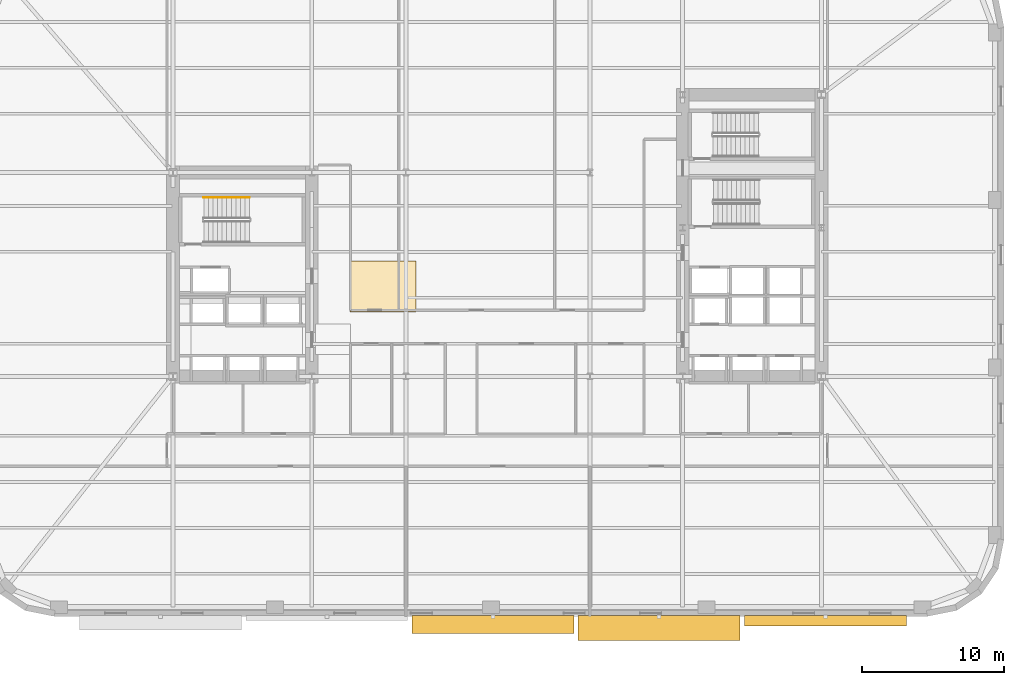
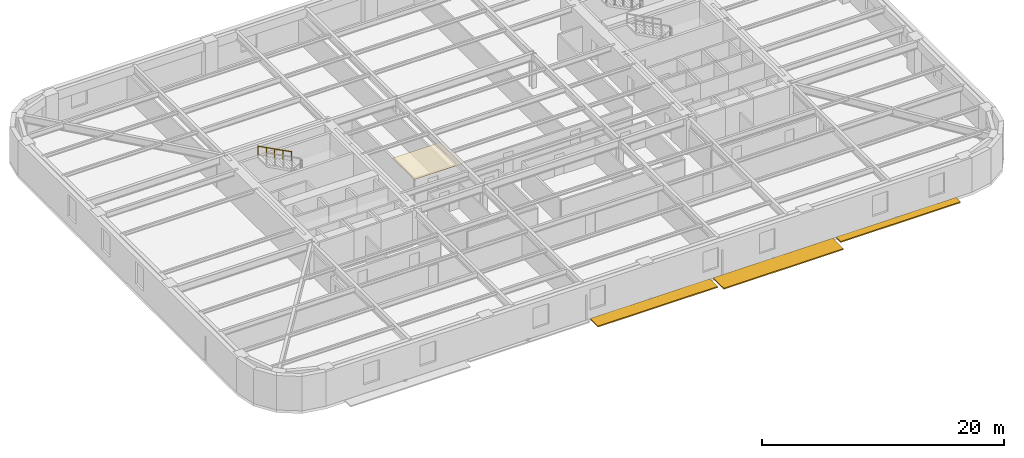
# One storey, part 10 of 14: 3 shading devices, 1 covering, 1 railing.
"""IFC4 building model written with IfcOpenShell, lengths in metres."""

import ifcopenshell
import ifcopenshell.guid

model = None  # the IFC model being written
_history = None  # IfcOwnerHistory: only IFC2X3 demands one
_inside = {}  # id of a spatial element -> (the spatial element, [elements in it])
_under = {}  # id of a project, library or spatial element -> (it, [spatial elements below it])
_declared = {}  # id of a project -> (the project, [libraries it declares])
_typed = {}  # id of a type object -> (the type object, [elements of that type])
_made_of = {}  # id of a material, layer set ... -> (it, [elements and type objects made of it])


def new_model(schema):
    """Start an empty IFC model of exactly this schema.

    Asked for "IFC4X3", IfcOpenShell would pick the latest addendum, in which some entities
    have other attributes; the version numbers below select the first issue.
    IFC2X3 requires an IfcOwnerHistory on every rooted entity: one is made here for all.
    """
    global model, _history
    if schema == "IFC4X3":
        model = ifcopenshell.file(schema_version=(4, 3, 0, 0))
    else:
        model = ifcopenshell.file(schema=schema)
    _inside.clear()
    _under.clear()
    _declared.clear()
    _typed.clear()
    _made_of.clear()
    _history = None
    if model.schema == "IFC2X3":
        org = make("IfcOrganization", Name="unknown")
        user = make(
            "IfcPersonAndOrganization",
            ThePerson=make("IfcPerson", FamilyName="unknown"),
            TheOrganization=org,
        )
        app = make(
            "IfcApplication",
            ApplicationDeveloper=org,
            Version="unknown",
            ApplicationFullName="unknown",
            ApplicationIdentifier="unknown",
        )
        _history = make(
            "IfcOwnerHistory",
            OwningUser=user,
            OwningApplication=app,
            ChangeAction="ADDED",
            CreationDate=0,
        )
    return model


def make(cls, **values):
    """One entity of the class cls with the attributes given. An attribute that is None is left unset."""
    return model.create_entity(
        cls, **{name: value for name, value in values.items() if value is not None}
    )


def rooted(cls, **values):
    """An entity with a GlobalId (a new one), such as an element, a storey or a relation."""
    return make(cls, GlobalId=ifcopenshell.guid.new(), OwnerHistory=_history, **values)


def si_unit(unit_type, name, prefix=None):
    """IfcSIUnit, for example si_unit("LENGTHUNIT", "METRE", prefix="MILLI")."""
    return make("IfcSIUnit", UnitType=unit_type, Prefix=prefix, Name=name)


def assignment(units):
    """IfcUnitAssignment: the units of a project."""
    return None if units is None else make("IfcUnitAssignment", Units=units)


def point(xyz):
    """IfcCartesianPoint."""
    return None if xyz is None else make("IfcCartesianPoint", Coordinates=xyz)


def direction(xyz):
    """IfcDirection."""
    return None if xyz is None else make("IfcDirection", DirectionRatios=xyz)


def frame(location, z_axis=None, x_axis=None):
    """IfcAxis2Placement3D, a coordinate frame: its origin and axes. An axis left out is left unset."""
    return make(
        "IfcAxis2Placement3D",
        Location=point(location),
        Axis=direction(z_axis),
        RefDirection=direction(x_axis),
    )


def frame_2d(location, x_axis=None):
    """IfcAxis2Placement2D, a coordinate frame in the plane: its origin and x axis."""
    return make(
        "IfcAxis2Placement2D", Location=point(location), RefDirection=direction(x_axis)
    )


def origin():
    """The frame at (0, 0, 0) with its axes left unset."""
    return frame((0.0, 0.0, 0.0))


def origin_2d():
    """The frame at (0, 0) in the plane with its x axis left unset."""
    return frame_2d((0.0, 0.0))


def place(relative_to, where):
    """IfcLocalPlacement: puts the frame where relative to a parent placement (None: the world)."""
    return make(
        "IfcLocalPlacement", PlacementRelTo=relative_to, RelativePlacement=where
    )


def context(
    kind, dimensions, precision=None, world=None, true_north=None, identifier=None
):
    """IfcGeometricRepresentationContext, for example the 3D "Model" context."""
    return make(
        "IfcGeometricRepresentationContext",
        ContextIdentifier=identifier,
        ContextType=kind,
        CoordinateSpaceDimension=dimensions,
        Precision=precision,
        WorldCoordinateSystem=world,
        TrueNorth=true_north,
    )


def subcontext(parent, identifier, kind, view, scale=None):
    """IfcGeometricRepresentationSubContext, for example "Body" below "Model"."""
    return make(
        "IfcGeometricRepresentationSubContext",
        ContextIdentifier=identifier,
        ContextType=kind,
        ParentContext=parent,
        TargetScale=scale,
        TargetView=view,
    )


def project(units=None, contexts=None):
    """IfcProject with its units and contexts."""
    return rooted(
        "IfcProject",
        Name="project",
        RepresentationContexts=contexts,
        UnitsInContext=assignment(units),
    )


def spatial(cls, under=None, at=None, **own):
    """A site, building, storey or space (cls), placed at a placement, below another one or the project."""
    s = rooted(cls, ObjectPlacement=at, **own)
    if under is not None:
        _under.setdefault(under.id(), (under, []))[1].append(s)
    return s


def polyline(points):
    """IfcPolyline through the points."""
    return make("IfcPolyline", Points=[point(p) for p in points])


def profile(cls, at=None, kind="AREA", **sizes):
    """A parametric profile (cls). Its sizes go by their IFC names, for example OverallWidth=200.0."""
    return make(cls, ProfileType=kind, Position=at, **sizes)


def rectangle(**sizes):
    """IfcRectangleProfileDef."""
    return profile("IfcRectangleProfileDef", **sizes)


def circle(**sizes):
    """IfcCircleProfileDef."""
    return profile("IfcCircleProfileDef", **sizes)


def outline(outer, holes=None, kind="AREA"):
    """IfcArbitraryClosedProfileDef: a profile drawn as a closed curve; with holes, ...WithVoids."""
    if holes is None:
        return make("IfcArbitraryClosedProfileDef", ProfileType=kind, OuterCurve=outer)
    return make(
        "IfcArbitraryProfileDefWithVoids",
        ProfileType=kind,
        OuterCurve=outer,
        InnerCurves=holes,
    )


def extrude(swept, where, along, depth):
    """IfcExtrudedAreaSolid: the profile swept, set in the frame where, extruded along a direction by depth."""
    return make(
        "IfcExtrudedAreaSolid",
        SweptArea=swept,
        Position=where,
        ExtrudedDirection=direction(along),
        Depth=depth,
    )


def shape(context_of_items, identifier, shape_type, items):
    """IfcShapeRepresentation: the items that make up one representation, for example the "Body"."""
    return make(
        "IfcShapeRepresentation",
        ContextOfItems=context_of_items,
        RepresentationIdentifier=identifier,
        RepresentationType=shape_type,
        Items=items,
    )


def material(Name=None, Category=None):
    """IfcMaterial."""
    return make("IfcMaterial", Name=Name, Category=Category)


def layer(
    of_material, thickness, ventilated=None, Name=None, Category=None, Priority=None
):
    """IfcMaterialLayer: one layer of a wall or slab, of a material (None: an air gap)."""
    return make(
        "IfcMaterialLayer",
        Material=of_material,
        LayerThickness=thickness,
        IsVentilated=ventilated,
        Name=Name,
        Category=Category,
        Priority=Priority,
    )


def layer_set(layers, Name=None):
    """IfcMaterialLayerSet."""
    return make("IfcMaterialLayerSet", MaterialLayers=layers, LayerSetName=Name)


def made_of(thing, what):
    """Note that an element or type object is made of a material, layer set ...; save() writes the relation."""
    if what is not None:
        _made_of.setdefault(what.id(), (what, []))[1].append(thing)
    return thing


def type_object(cls, material=None, **own):
    """A type object (cls), such as IfcWallType, which elements share."""
    return made_of(rooted(cls, **own), material)


def element(
    cls,
    number,
    at=None,
    inside=None,
    cuts=None,
    type_object=None,
    material=None,
    context=None,
    identifier="Body",
    shape_type=None,
    held_by="IfcProductDefinitionShape",
    body=None,
    shapes=None,
    **own,
):
    """One element of the class cls, such as IfcWall. Its Tag is "e" and its number.

    at: its placement. inside: the storey or other place that contains it. cuts: it is an
    opening in that element (IfcRelVoidsElement). A single representation is given by context,
    identifier, shape_type and body (its items); several are given by shapes. held_by: the class
    of the entity that holds the representations. save() writes the other relations.
    """
    e = rooted(cls, Tag="e%d" % number, ObjectPlacement=at, **own)
    if body is not None:
        shapes = [shape(context, identifier, shape_type, body)]
    if shapes is not None:
        e.Representation = make(held_by, Representations=shapes)
    if inside is not None:
        _inside.setdefault(inside.id(), (inside, []))[1].append(e)
    if cuts is not None:
        rooted(
            "IfcRelVoidsElement", RelatingBuildingElement=cuts, RelatedOpeningElement=e
        )
    if type_object is not None:
        _typed.setdefault(type_object.id(), (type_object, []))[1].append(e)
    return made_of(e, material)


def aggregate(whole, parts):
    """IfcRelAggregates: a whole, such as a stair, and the parts it consists of."""
    return rooted("IfcRelAggregates", RelatingObject=whole, RelatedObjects=parts)


def save(model, path):
    """Write the relations noted so far, then the file.

    IfcRelAggregates (storeys below a building ...), IfcRelContainedInSpatialStructure (elements
    in a storey), IfcRelDefinesByType, IfcRelAssociatesMaterial and IfcRelDeclares: one each for
    every whole, place, type object, material and project.
    """
    for whole, parts in _under.values():
        aggregate(whole, parts)
    for where, things in _inside.values():
        rooted(
            "IfcRelContainedInSpatialStructure",
            RelatedElements=things,
            RelatingStructure=where,
        )
    for kind, things in _typed.values():
        rooted("IfcRelDefinesByType", RelatedObjects=things, RelatingType=kind)
    for what, things in _made_of.values():
        rooted("IfcRelAssociatesMaterial", RelatedObjects=things, RelatingMaterial=what)
    for by, libraries in _declared.values():
        rooted("IfcRelDeclares", RelatingContext=by, RelatedDefinitions=libraries)
    model.write(path)


model = new_model("IFC4")

# Units and contexts
model_context = context("Model", 3, precision=1e-05, world=origin(), true_north=direction((0.0, 1.0)))
body_context = subcontext(model_context, "Body", "Model", "MODEL_VIEW")
ifc_project = project(units=[si_unit("LENGTHUNIT", "METRE"), si_unit("AREAUNIT", "SQUARE_METRE"), si_unit("VOLUMEUNIT", "CUBIC_METRE"), si_unit("PLANEANGLEUNIT", "RADIAN"), si_unit("MASSUNIT", "GRAM", prefix="KILO")], contexts=[model_context])

# Site, building, storey
site_placement = place(None, origin())
site = spatial("IfcSite", under=ifc_project, at=site_placement, CompositionType="ELEMENT")
building_placement = place(site_placement, origin())
building = spatial("IfcBuilding", under=site, at=building_placement, Name="Kolvaren Arena Tower", CompositionType="ELEMENT")
storey_placement = place(building_placement, frame((0.0, 0.0, 79.5)))
storey = spatial("IfcBuildingStorey", under=building, at=storey_placement, Name="L17", CompositionType="ELEMENT", Elevation=79.5)

# Covering
ifc_material_1 = material(Name="Mineral fibre acoustic ceiling tile", Category="gypsum")
ifc_layer = layer(ifc_material_1, 0.02490234375)
ifc_layer_set = layer_set([ifc_layer], Name="Mineral fibre acoustic ceiling tile")
covering_type = type_object("IfcCoveringType", Name="CEIL-ACT-1", PredefinedType="CEILING", material=ifc_layer_set)
covering_placement = place(storey_placement, frame((0.0, 0.0, 2.52001953125)))
element("IfcCovering", 1, at=covering_placement, inside=storey, type_object=covering_type, Name="Suspended Ceiling (L17)", PredefinedType="CEILING", context=body_context, shape_type="SweptSolid", body=[
    extrude(outline(polyline([(27.050048828125, 24.0), (27.050048828125, 27.60009765625), (31.699951171875, 27.60009765625), (31.699951171875, 24.0), (27.050048828125, 24.0)])), origin(), (0.0, 0.0, 1.0), 0.02490234375),
])

# Railing
ifc_material_2 = material(Name="Brushed stainless steel handrail", Category="steel")
railing_type = type_object("IfcRailingType", Name="HRAIL-900", PredefinedType="HANDRAIL", material=ifc_material_2)
railing_placement = place(storey_placement, frame((19.9599609375, 32.080078125, 2.04541015625)))
element("IfcRailing", 2, at=railing_placement, inside=storey, type_object=railing_type, Name="L17 ST-W1 stair handrail 2", PredefinedType="HANDRAIL", context=body_context, shape_type="SweptSolid", body=[
    extrude(circle(Radius=0.02392578125, at=origin_2d()), frame((0.0, 0.0, 0.8759765625), z_axis=(-0.884993431791, 0.0, 0.465603506952), x_axis=(0.0, -1.0, 0.0)), (0.0, 0.0, 1.0), 3.6611328125),
    extrude(circle(Radius=0.02099609375, at=origin_2d()), origin(), (0.0, 0.0, 1.0), 0.851806640625),
    extrude(circle(Radius=0.02099609375, at=origin_2d()), frame((-0.81005859375, 0.0, 0.42626953125)), (0.0, 0.0, 1.0), 0.851806640625),
    extrude(circle(Radius=0.02099609375, at=origin_2d()), frame((-1.6201171875, 0.0, 0.852294921875)), (0.0, 0.0, 1.0), 0.851806640625),
    extrude(circle(Radius=0.02099609375, at=origin_2d()), frame((-2.429931640625, 0.0, 1.2783203125)), (0.0, 0.0, 1.0), 0.851806640625),
    extrude(circle(Radius=0.02099609375, at=origin_2d()), frame((-3.239990234375, 0.0, 1.70458984375)), (0.0, 0.0, 1.0), 0.851806640625),
])

# Shading devices
ifc_material_3 = material(Name="Architectural precast GFRC and anodised aluminium sunshade", Category="concrete")
shading_device_type_1 = type_object("IfcShadingDeviceType", Name="SHAD-SINE-A", PredefinedType="USERDEFINED", material=ifc_material_3)
shading_device_1_placement = place(storey_placement, frame((60.6298828125, 2.1796875, -0.14013671875), z_axis=(0.0, 0.0, 1.0), x_axis=(-1.0, 0.0, 0.0)))
element("IfcShadingDevice", 3, at=shading_device_1_placement, inside=storey, type_object=shading_device_type_1, Name="Sinusoidal Slab-Edge Sunshade Louvre (L17)", ObjectType="LOUVRE", PredefinedType="USERDEFINED", context=body_context, shape_type="SweptSolid", body=[
    extrude(rectangle(XDim=11.43994140625, YDim=0.74072265625, at=origin_2d()), origin(), (0.0, 0.0, 1.0), 0.1201171875),
])
shading_device_type_2 = type_object("IfcShadingDeviceType", Name="SHAD-SINE-B", PredefinedType="JALOUSIE", material=ifc_material_3)
shading_device_2_placement = place(storey_placement, frame((48.889892578125, 1.675537109375, -0.14013671875), z_axis=(0.0, 0.0, 1.0), x_axis=(-1.0, 0.0, 0.0)))
element("IfcShadingDevice", 4, at=shading_device_2_placement, inside=storey, type_object=shading_device_type_2, Name="Sinusoidal Slab-Edge Sunshade Louvre (L17)", PredefinedType="JALOUSIE", context=body_context, shape_type="SweptSolid", body=[
    extrude(rectangle(XDim=11.43994140625, YDim=1.7490234375, at=origin_2d()), origin(), (0.0, 0.0, 1.0), 0.1201171875),
])
shading_device_3_placement = place(storey_placement, frame((37.14990234375, 1.9140625, -0.14013671875), z_axis=(0.0, 0.0, 1.0), x_axis=(-1.0, 0.0, 0.0)))
element("IfcShadingDevice", 5, at=shading_device_3_placement, inside=storey, type_object=shading_device_type_2, Name="Sinusoidal Slab-Edge Sunshade Louvre (L17)", PredefinedType="JALOUSIE", context=body_context, shape_type="SweptSolid", body=[
    extrude(rectangle(XDim=11.43994140625, YDim=1.271728515625, at=origin_2d()), origin(), (0.0, 0.0, 1.0), 0.1201171875),
])

save(model, "model.ifc")
